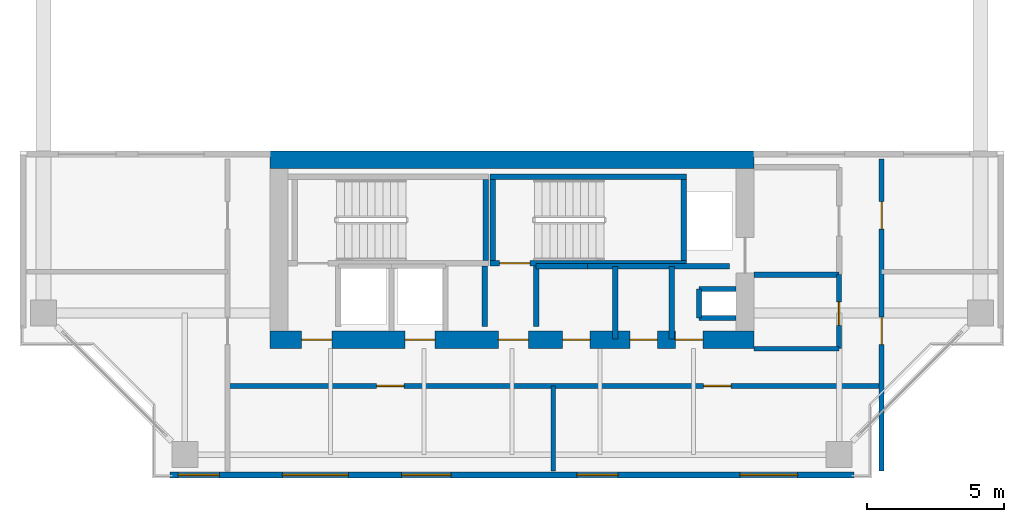
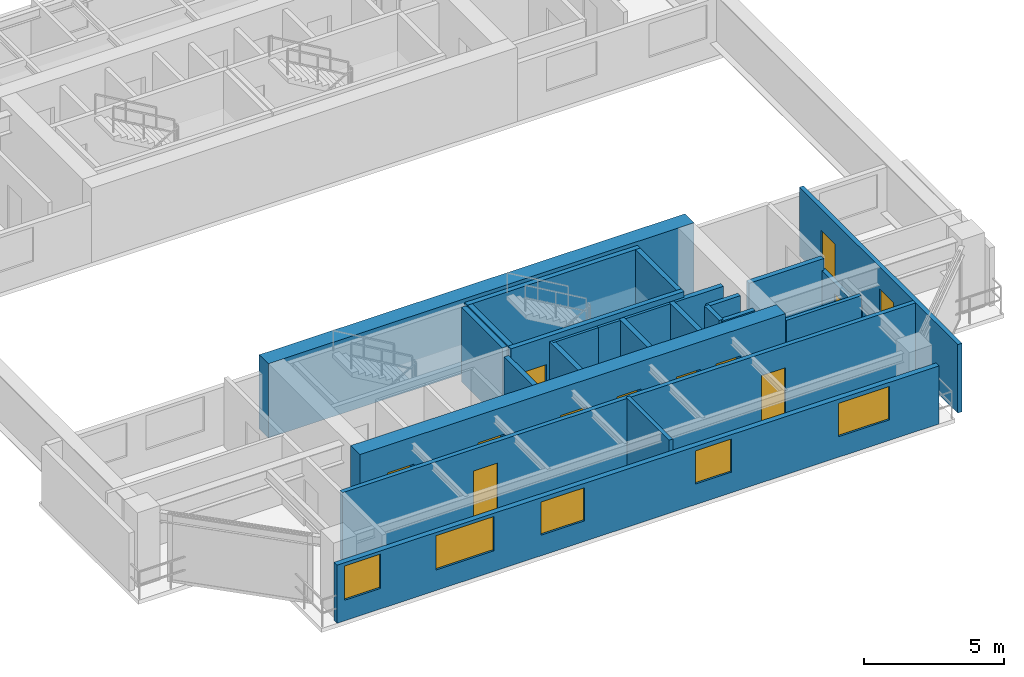
# One storey, part 7 of 12: 23 walls, 12 doors, 5 windows, 17 openings.
"""IFC4 building model written with IfcOpenShell, lengths in metres."""

import ifcopenshell
import ifcopenshell.guid

model = None  # the IFC model being written
_history = None  # IfcOwnerHistory: only IFC2X3 demands one
_inside = {}  # id of a spatial element -> (the spatial element, [elements in it])
_under = {}  # id of a project, library or spatial element -> (it, [spatial elements below it])
_declared = {}  # id of a project -> (the project, [libraries it declares])
_typed = {}  # id of a type object -> (the type object, [elements of that type])
_made_of = {}  # id of a material, layer set ... -> (it, [elements and type objects made of it])


def new_model(schema):
    """Start an empty IFC model of exactly this schema.

    Asked for "IFC4X3", IfcOpenShell would pick the latest addendum, in which some entities
    have other attributes; the version numbers below select the first issue.
    IFC2X3 requires an IfcOwnerHistory on every rooted entity: one is made here for all.
    """
    global model, _history
    if schema == "IFC4X3":
        model = ifcopenshell.file(schema_version=(4, 3, 0, 0))
    else:
        model = ifcopenshell.file(schema=schema)
    _inside.clear()
    _under.clear()
    _declared.clear()
    _typed.clear()
    _made_of.clear()
    _history = None
    if model.schema == "IFC2X3":
        org = make("IfcOrganization", Name="unknown")
        user = make(
            "IfcPersonAndOrganization",
            ThePerson=make("IfcPerson", FamilyName="unknown"),
            TheOrganization=org,
        )
        app = make(
            "IfcApplication",
            ApplicationDeveloper=org,
            Version="unknown",
            ApplicationFullName="unknown",
            ApplicationIdentifier="unknown",
        )
        _history = make(
            "IfcOwnerHistory",
            OwningUser=user,
            OwningApplication=app,
            ChangeAction="ADDED",
            CreationDate=0,
        )
    return model


def make(cls, **values):
    """One entity of the class cls with the attributes given. An attribute that is None is left unset."""
    return model.create_entity(
        cls, **{name: value for name, value in values.items() if value is not None}
    )


def rooted(cls, **values):
    """An entity with a GlobalId (a new one), such as an element, a storey or a relation."""
    return make(cls, GlobalId=ifcopenshell.guid.new(), OwnerHistory=_history, **values)


def si_unit(unit_type, name, prefix=None):
    """IfcSIUnit, for example si_unit("LENGTHUNIT", "METRE", prefix="MILLI")."""
    return make("IfcSIUnit", UnitType=unit_type, Prefix=prefix, Name=name)


def assignment(units):
    """IfcUnitAssignment: the units of a project."""
    return None if units is None else make("IfcUnitAssignment", Units=units)


def point(xyz):
    """IfcCartesianPoint."""
    return None if xyz is None else make("IfcCartesianPoint", Coordinates=xyz)


def direction(xyz):
    """IfcDirection."""
    return None if xyz is None else make("IfcDirection", DirectionRatios=xyz)


def frame(location, z_axis=None, x_axis=None):
    """IfcAxis2Placement3D, a coordinate frame: its origin and axes. An axis left out is left unset."""
    return make(
        "IfcAxis2Placement3D",
        Location=point(location),
        Axis=direction(z_axis),
        RefDirection=direction(x_axis),
    )


def frame_2d(location, x_axis=None):
    """IfcAxis2Placement2D, a coordinate frame in the plane: its origin and x axis."""
    return make(
        "IfcAxis2Placement2D", Location=point(location), RefDirection=direction(x_axis)
    )


def origin():
    """The frame at (0, 0, 0) with its axes left unset."""
    return frame((0.0, 0.0, 0.0))


def place(relative_to, where):
    """IfcLocalPlacement: puts the frame where relative to a parent placement (None: the world)."""
    return make(
        "IfcLocalPlacement", PlacementRelTo=relative_to, RelativePlacement=where
    )


def context(
    kind, dimensions, precision=None, world=None, true_north=None, identifier=None
):
    """IfcGeometricRepresentationContext, for example the 3D "Model" context."""
    return make(
        "IfcGeometricRepresentationContext",
        ContextIdentifier=identifier,
        ContextType=kind,
        CoordinateSpaceDimension=dimensions,
        Precision=precision,
        WorldCoordinateSystem=world,
        TrueNorth=true_north,
    )


def subcontext(parent, identifier, kind, view, scale=None):
    """IfcGeometricRepresentationSubContext, for example "Body" below "Model"."""
    return make(
        "IfcGeometricRepresentationSubContext",
        ContextIdentifier=identifier,
        ContextType=kind,
        ParentContext=parent,
        TargetScale=scale,
        TargetView=view,
    )


def project(units=None, contexts=None):
    """IfcProject with its units and contexts."""
    return rooted(
        "IfcProject",
        Name="project",
        RepresentationContexts=contexts,
        UnitsInContext=assignment(units),
    )


def spatial(cls, under=None, at=None, **own):
    """A site, building, storey or space (cls), placed at a placement, below another one or the project."""
    s = rooted(cls, ObjectPlacement=at, **own)
    if under is not None:
        _under.setdefault(under.id(), (under, []))[1].append(s)
    return s


def profile(cls, at=None, kind="AREA", **sizes):
    """A parametric profile (cls). Its sizes go by their IFC names, for example OverallWidth=200.0."""
    return make(cls, ProfileType=kind, Position=at, **sizes)


def rectangle(**sizes):
    """IfcRectangleProfileDef."""
    return profile("IfcRectangleProfileDef", **sizes)


def extrude(swept, where, along, depth):
    """IfcExtrudedAreaSolid: the profile swept, set in the frame where, extruded along a direction by depth."""
    return make(
        "IfcExtrudedAreaSolid",
        SweptArea=swept,
        Position=where,
        ExtrudedDirection=direction(along),
        Depth=depth,
    )


def shape(context_of_items, identifier, shape_type, items):
    """IfcShapeRepresentation: the items that make up one representation, for example the "Body"."""
    return make(
        "IfcShapeRepresentation",
        ContextOfItems=context_of_items,
        RepresentationIdentifier=identifier,
        RepresentationType=shape_type,
        Items=items,
    )


def source(mapping_origin, context_of_items, identifier, shape_type, items):
    """IfcRepresentationMap: a shape defined once, which mapped items show again and again."""
    return make(
        "IfcRepresentationMap",
        MappingOrigin=mapping_origin,
        MappedRepresentation=shape(context_of_items, identifier, shape_type, items),
    )


def transform(
    local_origin,
    x_axis=None,
    y_axis=None,
    z_axis=None,
    scale=None,
    scale2=None,
    scale3=None,
    uniform=True,
):
    """IfcCartesianTransformationOperator3D, or its non-uniform kind. x_axis, y_axis, z_axis: its Axis1, 2, 3."""
    if uniform:
        return make(
            "IfcCartesianTransformationOperator3D",
            Axis1=direction(x_axis),
            Axis2=direction(y_axis),
            LocalOrigin=point(local_origin),
            Scale=scale,
            Axis3=direction(z_axis),
        )
    return make(
        "IfcCartesianTransformationOperator3DnonUniform",
        Axis1=direction(x_axis),
        Axis2=direction(y_axis),
        LocalOrigin=point(local_origin),
        Scale=scale,
        Axis3=direction(z_axis),
        Scale2=scale2,
        Scale3=scale3,
    )


def mapped(mapping_source, mapping_target):
    """IfcMappedItem: shows the shape of a source again, moved by a transform."""
    return make(
        "IfcMappedItem", MappingSource=mapping_source, MappingTarget=mapping_target
    )


def material(Name=None, Category=None):
    """IfcMaterial."""
    return make("IfcMaterial", Name=Name, Category=Category)


def layer(
    of_material, thickness, ventilated=None, Name=None, Category=None, Priority=None
):
    """IfcMaterialLayer: one layer of a wall or slab, of a material (None: an air gap)."""
    return make(
        "IfcMaterialLayer",
        Material=of_material,
        LayerThickness=thickness,
        IsVentilated=ventilated,
        Name=Name,
        Category=Category,
        Priority=Priority,
    )


def layer_set(layers, Name=None):
    """IfcMaterialLayerSet."""
    return make("IfcMaterialLayerSet", MaterialLayers=layers, LayerSetName=Name)


def made_of(thing, what):
    """Note that an element or type object is made of a material, layer set ...; save() writes the relation."""
    if what is not None:
        _made_of.setdefault(what.id(), (what, []))[1].append(thing)
    return thing


def type_object(cls, material=None, **own):
    """A type object (cls), such as IfcWallType, which elements share."""
    return made_of(rooted(cls, **own), material)


def element(
    cls,
    number,
    at=None,
    inside=None,
    cuts=None,
    type_object=None,
    material=None,
    context=None,
    identifier="Body",
    shape_type=None,
    held_by="IfcProductDefinitionShape",
    body=None,
    shapes=None,
    **own,
):
    """One element of the class cls, such as IfcWall. Its Tag is "e" and its number.

    at: its placement. inside: the storey or other place that contains it. cuts: it is an
    opening in that element (IfcRelVoidsElement). A single representation is given by context,
    identifier, shape_type and body (its items); several are given by shapes. held_by: the class
    of the entity that holds the representations. save() writes the other relations.
    """
    e = rooted(cls, Tag="e%d" % number, ObjectPlacement=at, **own)
    if body is not None:
        shapes = [shape(context, identifier, shape_type, body)]
    if shapes is not None:
        e.Representation = make(held_by, Representations=shapes)
    if inside is not None:
        _inside.setdefault(inside.id(), (inside, []))[1].append(e)
    if cuts is not None:
        rooted(
            "IfcRelVoidsElement", RelatingBuildingElement=cuts, RelatedOpeningElement=e
        )
    if type_object is not None:
        _typed.setdefault(type_object.id(), (type_object, []))[1].append(e)
    return made_of(e, material)


def fill(opening, filler):
    """IfcRelFillsElement: the door or window that sits in an opening."""
    return rooted(
        "IfcRelFillsElement",
        RelatingOpeningElement=opening,
        RelatedBuildingElement=filler,
    )


def aggregate(whole, parts):
    """IfcRelAggregates: a whole, such as a stair, and the parts it consists of."""
    return rooted("IfcRelAggregates", RelatingObject=whole, RelatedObjects=parts)


def save(model, path):
    """Write the relations noted so far, then the file.

    IfcRelAggregates (storeys below a building ...), IfcRelContainedInSpatialStructure (elements
    in a storey), IfcRelDefinesByType, IfcRelAssociatesMaterial and IfcRelDeclares: one each for
    every whole, place, type object, material and project.
    """
    for whole, parts in _under.values():
        aggregate(whole, parts)
    for where, things in _inside.values():
        rooted(
            "IfcRelContainedInSpatialStructure",
            RelatedElements=things,
            RelatingStructure=where,
        )
    for kind, things in _typed.values():
        rooted("IfcRelDefinesByType", RelatedObjects=things, RelatingType=kind)
    for what, things in _made_of.values():
        rooted("IfcRelAssociatesMaterial", RelatedObjects=things, RelatingMaterial=what)
    for by, libraries in _declared.values():
        rooted("IfcRelDeclares", RelatingContext=by, RelatedDefinitions=libraries)
    model.write(path)


model = new_model("IFC4")

# Units and contexts
model_context = context("Model", 3, precision=1e-05, world=origin(), true_north=direction((0.0, 1.0)))
body_context = subcontext(model_context, "Body", "Model", "MODEL_VIEW")
ifc_project = project(units=[si_unit("LENGTHUNIT", "METRE"), si_unit("AREAUNIT", "SQUARE_METRE"), si_unit("VOLUMEUNIT", "CUBIC_METRE"), si_unit("PLANEANGLEUNIT", "RADIAN"), si_unit("MASSUNIT", "GRAM", prefix="KILO"), si_unit("THERMODYNAMICTEMPERATUREUNIT", "KELVIN"), si_unit("POWERUNIT", "WATT")], contexts=[model_context])

# Site, building, storey
site_placement = place(None, origin())
site = spatial("IfcSite", under=ifc_project, at=site_placement, CompositionType="ELEMENT")
building_placement = place(site_placement, origin())
building = spatial("IfcBuilding", under=site, at=building_placement, Name="Qiaomeng Ring Towers", CompositionType="ELEMENT")
storey_placement = place(building_placement, frame((0.0, 0.0, 169.75)))
storey = spatial("IfcBuildingStorey", under=building, at=storey_placement, Name="L49", CompositionType="ELEMENT", Elevation=169.75)

# Wall, openings, windows
ifc_material_1 = material(Name="Precast concrete C40", Category="concrete")
ifc_layer_1 = layer(ifc_material_1, 0.219970703125, Name="Precast concrete C40")
ifc_layer_set_1 = layer_set([ifc_layer_1], Name="Precast concrete C40")
wall_type_1 = type_object("IfcWallType", Name="ARC-WL-EW2", PredefinedType="STANDARD", material=ifc_layer_set_1)
wall_1_placement = place(storey_placement, frame((6.550048828125, 5.2099609375, 0.0), z_axis=(0.0, 0.0, 1.0), x_axis=(1.0, 0.0, 0.0)))
wall_1 = element("IfcWall", 1, at=wall_1_placement, inside=storey, type_object=wall_type_1, Name="L49 Tower 1 S Exterior Wall", PredefinedType="STANDARD", context=body_context, shape_type="SweptSolid", body=[
    extrude(rectangle(XDim=24.89990234375, YDim=0.219970703125, at=frame_2d((12.449951171875, 0.0))), origin(), (0.0, 0.0, 1.0), 2.5400390625),
])
opening_1_placement = place(wall_1_placement, frame((0.300048828125, 0.0, 0.89990234375)))
opening_1 = element("IfcOpeningElement", 2, at=opening_1_placement, cuts=wall_1, Name="Opening WN2", PredefinedType="OPENING", context=body_context, shape_type="SweptSolid", body=[
    extrude(rectangle(XDim=1.5, YDim=1.5, at=frame_2d((0.75, 0.75))), frame((0.0, 0.119873046875, 0.0), z_axis=(0.0, -1.0, 0.0), x_axis=(1.0, 0.0, 0.0)), (0.0, 0.0, 1.0), 0.239990234375),
])
opening_2_placement = place(wall_1_placement, frame((8.43798828125, 0.0, 0.89990234375)))
opening_2 = element("IfcOpeningElement", 3, at=opening_2_placement, cuts=wall_1, Name="Opening WN1", PredefinedType="OPENING", context=body_context, shape_type="SweptSolid", body=[
    extrude(rectangle(XDim=1.800048828125, YDim=1.449951171875, at=frame_2d((0.89990234375, 0.72509765625))), frame((0.0, 0.119873046875, 0.0), z_axis=(0.0, -1.0, 0.0), x_axis=(1.0, 0.0, 0.0)), (0.0, 0.0, 1.0), 0.239990234375),
])
opening_3_placement = place(wall_1_placement, frame((14.81298828125, 0.0, 0.89990234375)))
opening_3 = element("IfcOpeningElement", 4, at=opening_3_placement, cuts=wall_1, Name="Opening WN2", PredefinedType="OPENING", context=body_context, shape_type="SweptSolid", body=[
    extrude(rectangle(XDim=1.5, YDim=1.449951171875, at=frame_2d((0.75, 0.72509765625))), frame((0.0, 0.119873046875, 0.0), z_axis=(0.0, -1.0, 0.0), x_axis=(1.0, 0.0, 0.0)), (0.0, 0.0, 1.0), 0.239990234375),
])
opening_4_placement = place(wall_1_placement, frame((20.738037109375, 0.0, 0.89990234375)))
opening_4 = element("IfcOpeningElement", 5, at=opening_4_placement, cuts=wall_1, Name="Opening WN4", PredefinedType="OPENING", context=body_context, shape_type="SweptSolid", body=[
    extrude(rectangle(XDim=2.10009765625, YDim=1.4599609375, at=frame_2d((1.050048828125, 0.72998046875))), frame((0.0, 0.119873046875, 0.0), z_axis=(0.0, -1.0, 0.0), x_axis=(1.0, 0.0, 0.0)), (0.0, 0.0, 1.0), 0.239990234375),
])
opening_5_placement = place(wall_1_placement, frame((4.093994140625, 0.0, 0.89990234375)))
opening_5 = element("IfcOpeningElement", 6, at=opening_5_placement, cuts=wall_1, Name="Opening WN6", PredefinedType="OPENING", context=body_context, shape_type="SweptSolid", body=[
    extrude(rectangle(XDim=2.39990234375, YDim=1.5, at=frame_2d((1.199951171875, 0.75))), frame((0.0, 0.119873046875, 0.0), z_axis=(0.0, -1.0, 0.0), x_axis=(1.0, 0.0, 0.0)), (0.0, 0.0, 1.0), 0.239990234375),
])
ifc_material_2 = material(Name="Low-E dark-grey laminated double glazing", Category="glass")
window_type_1 = type_object("IfcWindowType", Name="ARC-WN-2", PartitioningType="DOUBLE_PANEL_VERTICAL", PredefinedType="WINDOW", material=ifc_material_2)
shared_shape_1 = source(origin(), body_context, "Body", "SweptSolid", [
    extrude(rectangle(XDim=1.5, YDim=1.449951171875, at=frame_2d((0.75, 0.72509765625))), frame((0.0, 0.030029296875, 0.0), z_axis=(0.0, -1.0, 0.0), x_axis=(1.0, 0.0, 0.0)), (0.0, 0.0, 1.0), 0.06005859375),
])
window_1_placement = place(opening_3_placement, origin())
window_1 = element("IfcWindow", 7, at=window_1_placement, inside=storey, type_object=window_type_1, Name="L49 Exterior Window WN2", OverallHeight=1.449951171875, OverallWidth=1.5, PartitioningType="DOUBLE_PANEL_VERTICAL", PredefinedType="WINDOW", context=body_context, shape_type="MappedRepresentation", body=[
    mapped(shared_shape_1, transform((0.0, 0.0, 0.0), x_axis=(1.0, 0.0, 0.0), y_axis=(0.0, 1.0, 0.0), z_axis=(0.0, 0.0, 1.0), scale=1.0)),
])
fill(opening_3, window_1)
window_type_2 = type_object("IfcWindowType", Name="ARC-WN-1", PartitioningType="DOUBLE_PANEL_VERTICAL", PredefinedType="WINDOW", material=ifc_material_2)
shared_shape_2 = source(origin(), body_context, "Body", "SweptSolid", [
    extrude(rectangle(XDim=1.800048828125, YDim=1.449951171875, at=frame_2d((0.89990234375, 0.72509765625))), frame((0.0, 0.030029296875, 0.0), z_axis=(0.0, -1.0, 0.0), x_axis=(1.0, 0.0, 0.0)), (0.0, 0.0, 1.0), 0.06005859375),
])
window_2_placement = place(opening_2_placement, origin())
window_2 = element("IfcWindow", 8, at=window_2_placement, inside=storey, type_object=window_type_2, Name="L49 Exterior Window WN1", OverallHeight=1.449951171875, OverallWidth=1.800048828125, PartitioningType="DOUBLE_PANEL_VERTICAL", PredefinedType="WINDOW", context=body_context, shape_type="MappedRepresentation", body=[
    mapped(shared_shape_2, transform((0.0, 0.0, 0.0), x_axis=(1.0, 0.0, 0.0), y_axis=(0.0, 1.0, 0.0), z_axis=(0.0, 0.0, 1.0), scale=1.0)),
])
fill(opening_2, window_2)
shared_shape_3 = source(origin(), body_context, "Body", "SweptSolid", [
    extrude(rectangle(XDim=1.5, YDim=1.5, at=frame_2d((0.75, 0.75))), frame((0.0, 0.030029296875, 0.0), z_axis=(0.0, -1.0, 0.0), x_axis=(1.0, 0.0, 0.0)), (0.0, 0.0, 1.0), 0.06005859375),
])
window_3_placement = place(opening_1_placement, origin())
window_3 = element("IfcWindow", 9, at=window_3_placement, inside=storey, type_object=window_type_1, Name="L49 Exterior Window WN6", OverallHeight=1.5, OverallWidth=1.5, PartitioningType="TRIPLE_PANEL_VERTICAL", PredefinedType="WINDOW", context=body_context, shape_type="MappedRepresentation", body=[
    mapped(shared_shape_3, transform((0.0, 0.0, 0.0), x_axis=(1.0, 0.0, 0.0), y_axis=(0.0, 1.0, 0.0), z_axis=(0.0, 0.0, 1.0), scale=1.0)),
])
fill(opening_1, window_3)
window_type_3 = type_object("IfcWindowType", Name="ARC-WN-6", PartitioningType="TRIPLE_PANEL_VERTICAL", PredefinedType="WINDOW", material=ifc_material_2)
shared_shape_4 = source(origin(), body_context, "Body", "SweptSolid", [
    extrude(rectangle(XDim=2.39990234375, YDim=1.5, at=frame_2d((1.199951171875, 0.75))), frame((0.0, 0.030029296875, 0.0), z_axis=(0.0, -1.0, 0.0), x_axis=(1.0, 0.0, 0.0)), (0.0, 0.0, 1.0), 0.06005859375),
])
window_4_placement = place(opening_5_placement, origin())
window_4 = element("IfcWindow", 10, at=window_4_placement, inside=storey, type_object=window_type_3, Name="L49 Exterior Window WN6", OverallHeight=1.5, OverallWidth=2.39990234375, PartitioningType="TRIPLE_PANEL_VERTICAL", PredefinedType="WINDOW", context=body_context, shape_type="MappedRepresentation", body=[
    mapped(shared_shape_4, transform((0.0, 0.0, 0.0), x_axis=(1.0, 0.0, 0.0), y_axis=(0.0, 1.0, 0.0), z_axis=(0.0, 0.0, 1.0), scale=1.0)),
])
fill(opening_5, window_4)
window_type_4 = type_object("IfcWindowType", Name="ARC-WN-4", PartitioningType="TRIPLE_PANEL_VERTICAL", PredefinedType="WINDOW", material=ifc_material_2)
shared_shape_5 = source(origin(), body_context, "Body", "SweptSolid", [
    extrude(rectangle(XDim=2.10009765625, YDim=1.4599609375, at=frame_2d((1.050048828125, 0.72998046875))), frame((0.0, 0.030029296875, 0.0), z_axis=(0.0, -1.0, 0.0), x_axis=(1.0, 0.0, 0.0)), (0.0, 0.0, 1.0), 0.06005859375),
])
window_5_placement = place(opening_4_placement, origin())
window_5 = element("IfcWindow", 11, at=window_5_placement, inside=storey, type_object=window_type_4, Name="L49 Exterior Window WN4", OverallHeight=1.4599609375, OverallWidth=2.10009765625, PartitioningType="TRIPLE_PANEL_VERTICAL", PredefinedType="WINDOW", context=body_context, shape_type="MappedRepresentation", body=[
    mapped(shared_shape_5, transform((0.0, 0.0, 0.0), x_axis=(1.0, 0.0, 0.0), y_axis=(0.0, 1.0, 0.0), z_axis=(0.0, 0.0, 1.0), scale=1.0)),
])
fill(opening_4, window_5)

# Walls
ifc_material_3 = material(Name="Autoclaved aerated concrete block", Category="concrete")
ifc_layer_2 = layer(ifc_material_3, 0.199951171875, Name="Autoclaved aerated concrete block")
ifc_layer_set_2 = layer_set([ifc_layer_2], Name="Autoclaved aerated concrete block")
wall_type_2 = type_object("IfcWallType", Name="ARC-WL-PW1", PredefinedType="PARTITIONING", material=ifc_layer_set_2)
wall_2_placement = place(storey_placement, frame((27.800048828125, 12.5, 0.0), z_axis=(0.0, 0.0, 1.0), x_axis=(1.0, 0.0, 0.0)))
element("IfcWall", 12, at=wall_2_placement, inside=storey, type_object=wall_type_2, Name="L49 Interior Wall PW1", PredefinedType="PARTITIONING", context=body_context, shape_type="SweptSolid", body=[
    extrude(rectangle(XDim=3.099853515625, YDim=0.199951171875, at=frame_2d((1.5498046875, 0.0))), origin(), (0.0, 0.0, 1.0), 3.0),
])
for number, where, z_axis, x_axis, name in (
    (13, (18.0, 10.60009765625, 0.0), (0.0, 0.0, 1.0), (0.0, 1.0, 0.0), "L49 Interior Wall PW1"),
    (14, (19.8798828125, 10.60009765625, 0.0), (0.0, 0.0, 1.0), (0.0, 1.0, 0.0), "L49 Interior Wall PW1"),
):
    element("IfcWall", number, at=place(storey_placement, frame(where, z_axis=z_axis, x_axis=x_axis)), inside=storey, type_object=wall_type_2, Name=name, PredefinedType="PARTITIONING", context=body_context, shape_type="SweptSolid", body=[
        extrude(rectangle(XDim=2.2099609375, YDim=0.199951171875, at=frame_2d((1.10498046875, 0.0))), origin(), (0.0, 0.0, 1.0), 3.0),
    ])
wall_3_placement = place(storey_placement, frame((24.820068359375, 10.14990234375, 0.0), z_axis=(0.0, 0.0, 1.0), x_axis=(0.0, 1.0, 0.0)))
element("IfcWall", 15, at=wall_3_placement, inside=storey, type_object=wall_type_2, Name="L49 Interior Wall PW1", PredefinedType="PARTITIONING", context=body_context, shape_type="SweptSolid", body=[
    extrude(rectangle(XDim=2.650146484375, YDim=0.199951171875, at=frame_2d((1.3251953125, 0.0))), origin(), (0.0, 0.0, 1.0), 3.0),
])
wall_4_placement = place(storey_placement, frame((19.8798828125, 12.800048828125, 0.0), z_axis=(0.0, 0.0, 1.0), x_axis=(1.0, 0.0, 0.0)))
element("IfcWall", 16, at=wall_4_placement, inside=storey, type_object=wall_type_2, Name="L49 Interior Wall PW1", PredefinedType="PARTITIONING", context=body_context, shape_type="SweptSolid", body=[
    extrude(rectangle(XDim=1.8701171875, YDim=0.199951171875, at=frame_2d((0.93505859375, 0.0))), origin(), (0.0, 0.0, 1.0), 3.0),
])
wall_5_placement = place(storey_placement, frame((22.760009765625, 10.14990234375, 0.0), z_axis=(0.0, 0.0, 1.0), x_axis=(0.0, 1.0, 0.0)))
element("IfcWall", 17, at=wall_5_placement, inside=storey, type_object=wall_type_2, Name="L49 Interior Wall PW1", PredefinedType="PARTITIONING", context=body_context, shape_type="SweptSolid", body=[
    extrude(rectangle(XDim=2.650146484375, YDim=0.199951171875, at=frame_2d((1.3251953125, 0.0))), origin(), (0.0, 0.0, 1.0), 3.0),
])
wall_6_placement = place(storey_placement, frame((21.75, 12.800048828125, 0.0), z_axis=(0.0, 0.0, 1.0), x_axis=(1.0, 0.0, 0.0)))
element("IfcWall", 18, at=wall_6_placement, inside=storey, type_object=wall_type_2, Name="L49 Interior Wall PW1", PredefinedType="PARTITIONING", context=body_context, shape_type="SweptSolid", body=[
    extrude(rectangle(XDim=5.169921875, YDim=0.199951171875, at=frame_2d((2.5849609375, 0.0))), origin(), (0.0, 0.0, 1.0), 3.0),
])

# Wall, opening, door
ifc_layer_3 = layer(ifc_material_3, 0.179931640625, Name="Autoclaved aerated concrete block")
ifc_layer_set_3 = layer_set([ifc_layer_3], Name="Autoclaved aerated concrete block")
wall_type_3 = type_object("IfcWallType", Name="ARC-WL-PW2", PredefinedType="PARTITIONING", material=ifc_layer_set_3)
wall_7_placement = place(storey_placement, frame((30.89990234375, 9.800048828125, 0.0), z_axis=(0.0, 0.0, 1.0), x_axis=(0.0, 1.0, 0.0)))
wall_7 = element("IfcWall", 19, at=wall_7_placement, inside=storey, type_object=wall_type_3, Name="L49 Interior Wall PW2", PredefinedType="PARTITIONING", context=body_context, shape_type="SweptSolid", body=[
    extrude(rectangle(XDim=2.699951171875, YDim=0.179931640625, at=frame_2d((1.35009765625, 0.0))), origin(), (0.0, 0.0, 1.0), 2.4951171875),
])
opening_6_placement = place(wall_7_placement, frame((0.85009765625, 0.0, 0.0)))
opening_6 = element("IfcOpeningElement", 20, at=opening_6_placement, cuts=wall_7, Name="Opening ID2", PredefinedType="OPENING", context=body_context, shape_type="SweptSolid", body=[
    extrude(rectangle(XDim=0.85009765625, YDim=2.050048828125, at=frame_2d((0.425048828125, 1.02490234375))), frame((0.0, 0.099853515625, 0.0), z_axis=(0.0, -1.0, 0.0), x_axis=(1.0, 0.0, 0.0)), (0.0, 0.0, 1.0), 0.199951171875),
])
ifc_material_4 = material(Name="Moisture-resistant engineered timber", Category="wood")
door_type_1 = type_object("IfcDoorType", Name="ARC-DR-ID2", OperationType="NOTDEFINED", PredefinedType="DOOR", material=ifc_material_4)
shared_shape_6 = source(origin(), body_context, "Body", "SweptSolid", [
    extrude(rectangle(XDim=0.85009765625, YDim=2.050048828125, at=frame_2d((0.425048828125, 1.02490234375))), frame((0.0, 0.02490234375, 0.0), z_axis=(0.0, -1.0, 0.0), x_axis=(1.0, 0.0, 0.0)), (0.0, 0.0, 1.0), 0.050048828125),
])
door_1_placement = place(opening_6_placement, origin())
door_1 = element("IfcDoor", 21, at=door_1_placement, inside=storey, type_object=door_type_1, Name="L49 Door ID2", OperationType="SINGLE_SWING_LEFT", OverallHeight=2.050048828125, OverallWidth=0.85009765625, PredefinedType="DOOR", context=body_context, shape_type="MappedRepresentation", body=[
    mapped(shared_shape_6, transform((0.0, 0.0, 0.0), x_axis=(1.0, 0.0, 0.0), y_axis=(0.0, 1.0, 0.0), z_axis=(0.0, 0.0, 1.0), scale=1.0)),
])
fill(opening_6, door_1)

# Wall, openings, doors
wall_8_placement = place(storey_placement, frame((32.449951171875, 5.35009765625, 0.0), z_axis=(0.0, 0.0, 1.0), x_axis=(0.0, 1.0, 0.0)))
wall_8 = element("IfcWall", 22, at=wall_8_placement, inside=storey, type_object=wall_type_3, Name="L49 Interior Wall PW2", PredefinedType="PARTITIONING", context=body_context, shape_type="SweptSolid", body=[
    extrude(rectangle(XDim=11.349853515625, YDim=0.179931640625, at=frame_2d((5.6748046875, 0.0))), origin(), (0.0, 0.0, 1.0), 3.0),
])
opening_7_placement = place(wall_8_placement, frame((4.60009765625, 0.0, 0.0)))
opening_7 = element("IfcOpeningElement", 23, at=opening_7_placement, cuts=wall_8, Name="Opening FD4", PredefinedType="OPENING", context=body_context, shape_type="SweptSolid", body=[
    extrude(rectangle(XDim=1.0, YDim=2.050048828125, at=frame_2d((0.5, 1.02490234375))), frame((0.0, 0.099853515625, 0.0), z_axis=(0.0, -1.0, 0.0), x_axis=(1.0, 0.0, 0.0)), (0.0, 0.0, 1.0), 0.199951171875),
])
opening_8_placement = place(wall_8_placement, frame((8.800048828125, 0.0, 0.0)))
opening_8 = element("IfcOpeningElement", 24, at=opening_8_placement, cuts=wall_8, Name="Opening FD4", PredefinedType="OPENING", context=body_context, shape_type="SweptSolid", body=[
    extrude(rectangle(XDim=1.0, YDim=2.050048828125, at=frame_2d((0.5, 1.02490234375))), frame((0.0, 0.099853515625, 0.0), z_axis=(0.0, -1.0, 0.0), x_axis=(1.0, 0.0, 0.0)), (0.0, 0.0, 1.0), 0.199951171875),
])
ifc_material_5 = material(Name="Engineered fire-rated oak timber", Category="wood")
door_type_2 = type_object("IfcDoorType", Name="ARC-DR-FD4", OperationType="NOTDEFINED", PredefinedType="DOOR", material=ifc_material_5)
shared_shape_7 = source(origin(), body_context, "Body", "SweptSolid", [
    extrude(rectangle(XDim=1.0, YDim=2.050048828125, at=frame_2d((0.5, 1.02490234375))), frame((0.0, 0.02490234375, 0.0), z_axis=(0.0, -1.0, 0.0), x_axis=(1.0, 0.0, 0.0)), (0.0, 0.0, 1.0), 0.050048828125),
])
door_2_placement = place(opening_7_placement, origin())
door_2 = element("IfcDoor", 25, at=door_2_placement, inside=storey, type_object=door_type_2, Name="L49 Door FD4", OperationType="SINGLE_SWING_RIGHT", OverallHeight=2.050048828125, OverallWidth=1.0, PredefinedType="DOOR", context=body_context, shape_type="MappedRepresentation", body=[
    mapped(shared_shape_7, transform((0.0, 0.0, 0.0), x_axis=(1.0, 0.0, 0.0), y_axis=(0.0, 1.0, 0.0), z_axis=(0.0, 0.0, 1.0), scale=1.0)),
])
fill(opening_7, door_2)
door_3_placement = place(opening_8_placement, origin())
door_3 = element("IfcDoor", 26, at=door_3_placement, inside=storey, type_object=door_type_2, Name="L49 Door FD4", OperationType="SINGLE_SWING_LEFT", OverallHeight=2.050048828125, OverallWidth=1.0, PredefinedType="DOOR", context=body_context, shape_type="MappedRepresentation", body=[
    mapped(shared_shape_7, transform((0.0, 0.0, 0.0), x_axis=(1.0, 0.0, 0.0), y_axis=(0.0, 1.0, 0.0), z_axis=(0.0, 0.0, 1.0), scale=1.0)),
])
fill(opening_8, door_3)

wall_9_placement = place(storey_placement, frame((8.64990234375, 8.449951171875, 0.0), z_axis=(0.0, 0.0, 1.0), x_axis=(1.0, 0.0, 0.0)))
wall_9 = element("IfcWall", 27, at=wall_9_placement, inside=storey, type_object=wall_type_3, Name="L49 Interior Wall PW2", PredefinedType="PARTITIONING", context=body_context, shape_type="SweptSolid", body=[
    extrude(rectangle(XDim=23.800048828125, YDim=0.179931640625, at=frame_2d((11.89990234375, 0.0))), origin(), (0.0, 0.0, 1.0), 3.0),
])
opening_9_placement = place(wall_9_placement, frame((5.425048828125, 0.0, 0.0)))
opening_9 = element("IfcOpeningElement", 28, at=opening_9_placement, cuts=wall_9, Name="Opening FD4", PredefinedType="OPENING", context=body_context, shape_type="SweptSolid", body=[
    extrude(rectangle(XDim=1.0, YDim=2.050048828125, at=frame_2d((0.5, 1.02490234375))), frame((0.0, 0.099853515625, 0.0), z_axis=(0.0, -1.0, 0.0), x_axis=(1.0, 0.0, 0.0)), (0.0, 0.0, 1.0), 0.199951171875),
])
opening_10_placement = place(wall_9_placement, frame((17.324951171875, 0.0, 0.0)))
opening_10 = element("IfcOpeningElement", 29, at=opening_10_placement, cuts=wall_9, Name="Opening FD4", PredefinedType="OPENING", context=body_context, shape_type="SweptSolid", body=[
    extrude(rectangle(XDim=1.0, YDim=2.050048828125, at=frame_2d((0.5, 1.02490234375))), frame((0.0, 0.099853515625, 0.0), z_axis=(0.0, -1.0, 0.0), x_axis=(1.0, 0.0, 0.0)), (0.0, 0.0, 1.0), 0.199951171875),
])
door_4_placement = place(opening_9_placement, origin())
door_4 = element("IfcDoor", 30, at=door_4_placement, inside=storey, type_object=door_type_2, Name="L49 Door FD4", OperationType="SINGLE_SWING_RIGHT", OverallHeight=2.050048828125, OverallWidth=1.0, PredefinedType="DOOR", context=body_context, shape_type="MappedRepresentation", body=[
    mapped(shared_shape_7, transform((0.0, 0.0, 0.0), x_axis=(1.0, 0.0, 0.0), y_axis=(0.0, 1.0, 0.0), z_axis=(0.0, 0.0, 1.0), scale=1.0)),
])
fill(opening_9, door_4)
door_5_placement = place(opening_10_placement, origin())
door_5 = element("IfcDoor", 31, at=door_5_placement, inside=storey, type_object=door_type_2, Name="L49 Door FD4", OperationType="SINGLE_SWING_LEFT", OverallHeight=2.050048828125, OverallWidth=1.0, PredefinedType="DOOR", context=body_context, shape_type="MappedRepresentation", body=[
    mapped(shared_shape_7, transform((0.0, 0.0, 0.0), x_axis=(1.0, 0.0, 0.0), y_axis=(0.0, 1.0, 0.0), z_axis=(0.0, 0.0, 1.0), scale=1.0)),
])
fill(opening_10, door_5)

# Walls
ifc_material_6 = material(Name="Gypsum fireboard steel-stud partition", Category="steel")
ifc_layer_4 = layer(ifc_material_6, 0.14990234375, Name="Gypsum fireboard steel-stud partition")
ifc_layer_set_4 = layer_set([ifc_layer_4], Name="Gypsum fireboard steel-stud partition")
wall_type_4 = type_object("IfcWallType", Name="ARC-WL-PW3", PredefinedType="PARTITIONING", material=ifc_layer_set_4)
for number, where, z_axis, x_axis, name in (
    (32, (27.800048828125, 9.800048828125, 0.0), (0.0, 0.0, 1.0), (1.0, 0.0, 0.0), "L49 Interior Wall PW3"),
    (33, (20.5, 5.35009765625, 0.0), (0.0, 0.0, 1.0), (0.0, 1.0, 0.0), "L49 Interior Wall PW3"),
):
    element("IfcWall", number, at=place(storey_placement, frame(where, z_axis=z_axis, x_axis=x_axis)), inside=storey, type_object=wall_type_4, Name=name, PredefinedType="PARTITIONING", context=body_context, shape_type="SweptSolid", body=[
        extrude(rectangle(XDim=3.099853515625, YDim=0.14990234375, at=frame_2d((1.5498046875, 0.0))), origin(), (0.0, 0.0, 1.0), 3.0),
    ])
ifc_material_7 = material(Name="Concrete C40", Category="concrete")
ifc_layer_5 = layer(ifc_material_7, 0.199951171875, Name="Concrete C40")
ifc_layer_set_5 = layer_set([ifc_layer_5], Name="Concrete C40")
wall_type_5 = type_object("IfcWallType", Name="STR-WL-STSHAFT", PredefinedType="SHEAR", material=ifc_layer_set_5)
wall_10_placement = place(storey_placement, frame((25.800048828125, 10.919921875, 0.0), z_axis=(0.0, 0.0, 1.0), x_axis=(0.0, 1.0, 0.0)))
element("IfcWall", 34, at=wall_10_placement, inside=storey, type_object=wall_type_5, Name="L49 Riser RSR1 West Shaft Wall S", PredefinedType="SHEAR", context=body_context, shape_type="SweptSolid", body=[
    extrude(rectangle(XDim=1.06005859375, YDim=0.179931640625, at=frame_2d((0.530029296875, 0.0))), origin(), (0.0, 0.0, 1.0), 3.0),
])
for number, where, z_axis, x_axis, name in (
    (35, (25.800048828125, 11.97998046875, 0.0), (0.0, 0.0, 1.0), (1.0, 0.0, 0.0), "L49 Riser RSR1 North Shaft Wall S"),
    (36, (25.800048828125, 10.919921875, 0.0), (0.0, 0.0, 1.0), (1.0, 0.0, 0.0), "L49 Riser RSR1 South Shaft Wall S"),
):
    element("IfcWall", number, at=place(storey_placement, frame(where, z_axis=z_axis, x_axis=x_axis)), inside=storey, type_object=wall_type_5, Name=name, PredefinedType="SHEAR", context=body_context, shape_type="SweptSolid", body=[
        extrude(rectangle(XDim=1.349853515625, YDim=0.179931640625, at=frame_2d((0.6748046875, 0.0))), origin(), (0.0, 0.0, 1.0), 3.0),
    ])
wall_11_placement = place(storey_placement, frame((18.050048828125, 13.010009765625, 0.0), z_axis=(0.0, 0.0, 1.0), x_axis=(0.0, 1.0, 0.0)))
element("IfcWall", 37, at=wall_11_placement, inside=storey, type_object=wall_type_5, Name="L49 Stair ST3 East Shaft Shear Wall", PredefinedType="SHEAR", context=body_context, shape_type="SweptSolid", body=[
    extrude(rectangle(XDim=2.93994140625, YDim=0.199951171875, at=frame_2d((1.469970703125, 0.0))), origin(), (0.0, 0.0, 1.0), 3.25),
])

# Wall, opening, door
wall_12_placement = place(storey_placement, frame((18.199951171875, 12.909912109375, 0.0), z_axis=(0.0, 0.0, 1.0), x_axis=(1.0, 0.0, 0.0)))
wall_12 = element("IfcWall", 38, at=wall_12_placement, inside=storey, type_object=wall_type_5, Name="L49 Stair ST4 South Shaft Shear Wall", PredefinedType="SHEAR", context=body_context, shape_type="SweptSolid", body=[
    extrude(rectangle(XDim=7.150146484375, YDim=0.199951171875, at=frame_2d((3.5751953125, 0.0))), origin(), (0.0, 0.0, 1.0), 3.25),
])
opening_11_placement = place(wall_12_placement, frame((0.35009765625, 0.0, 0.0)))
opening_11 = element("IfcOpeningElement", 39, at=opening_11_placement, cuts=wall_12, Name="Opening FD3", PredefinedType="OPENING", context=body_context, shape_type="SweptSolid", body=[
    extrude(rectangle(XDim=1.10009765625, YDim=2.050048828125, at=frame_2d((0.550048828125, 1.02490234375))), frame((0.0, 0.10986328125, 0.0), z_axis=(0.0, -1.0, 0.0), x_axis=(1.0, 0.0, 0.0)), (0.0, 0.0, 1.0), 0.219970703125),
])
ifc_material_8 = material(Name="Galvanised steel", Category="steel")
door_type_3 = type_object("IfcDoorType", Name="ARC-DR-FD3", OperationType="NOTDEFINED", PredefinedType="DOOR", material=ifc_material_8)
shared_shape_8 = source(origin(), body_context, "Body", "SweptSolid", [
    extrude(rectangle(XDim=1.10009765625, YDim=2.050048828125, at=frame_2d((0.550048828125, 1.02490234375))), frame((0.0, 0.02490234375, 0.0), z_axis=(0.0, -1.0, 0.0), x_axis=(1.0, 0.0, 0.0)), (0.0, 0.0, 1.0), 0.050048828125),
])
door_6_placement = place(opening_11_placement, frame((1.10009765625, 0.0, 0.0), z_axis=(0.0, 0.0, 1.0), x_axis=(-1.0, 0.0, 0.0)))
door_6 = element("IfcDoor", 40, at=door_6_placement, inside=storey, type_object=door_type_3, Name="L49 Stair ST4 Exit Door", OperationType="SINGLE_SWING_LEFT", OverallHeight=2.050048828125, OverallWidth=1.10009765625, PredefinedType="DOOR", context=body_context, shape_type="MappedRepresentation", body=[
    mapped(shared_shape_8, transform((0.0, 0.0, 0.0), x_axis=(1.0, 0.0, 0.0), y_axis=(0.0, 1.0, 0.0), z_axis=(0.0, 0.0, 1.0), scale=1.0)),
])
fill(opening_11, door_6)

# Walls
wall_13_placement = place(storey_placement, frame((18.199951171875, 16.050048828125, 0.0), z_axis=(0.0, 0.0, 1.0), x_axis=(1.0, 0.0, 0.0)))
element("IfcWall", 41, at=wall_13_placement, inside=storey, type_object=wall_type_5, Name="L49 Stair ST4 North Shaft Shear Wall", PredefinedType="SHEAR", context=body_context, shape_type="SweptSolid", body=[
    extrude(rectangle(XDim=7.150146484375, YDim=0.199951171875, at=frame_2d((3.5751953125, 0.0))), origin(), (0.0, 0.0, 1.0), 3.25),
])
for number, where, z_axis, x_axis, name in (
    (42, (18.300048828125, 13.010009765625, 0.0), (0.0, 0.0, 1.0), (0.0, 1.0, 0.0), "L49 Stair ST4 West Shaft Shear Wall"),
    (43, (25.25, 13.010009765625, 0.0), (0.0, 0.0, 1.0), (0.0, 1.0, 0.0), "L49 Stair ST4 East Shaft Shear Wall"),
):
    element("IfcWall", number, at=place(storey_placement, frame(where, z_axis=z_axis, x_axis=x_axis)), inside=storey, type_object=wall_type_5, Name=name, PredefinedType="SHEAR", context=body_context, shape_type="SweptSolid", body=[
        extrude(rectangle(XDim=2.93994140625, YDim=0.199951171875, at=frame_2d((1.469970703125, 0.0))), origin(), (0.0, 0.0, 1.0), 3.25),
    ])

# Wall, openings, doors
ifc_material_9 = material(Name="Concrete C50", Category="concrete")
ifc_layer_6 = layer(ifc_material_9, 0.64990234375, Name="Concrete C50")
ifc_layer_set_6 = layer_set([ifc_layer_6], Name="Concrete C50")
wall_type_6 = type_object("IfcWallType", Name="STR-WL-SW2B", PredefinedType="SHEAR", material=ifc_layer_set_6)
wall_14_placement = place(storey_placement, frame((10.199951171875, 10.125, 0.0), z_axis=(0.0, 0.0, 1.0), x_axis=(1.0, 0.0, 0.0)))
wall_14 = element("IfcWall", 44, at=wall_14_placement, inside=storey, type_object=wall_type_6, Name="L49 T1SC south core shear wall", PredefinedType="SHEAR", context=body_context, shape_type="SweptSolid", body=[
    extrude(rectangle(XDim=17.60009765625, YDim=0.64990234375, at=frame_2d((8.800048828125, 0.0))), origin(), (0.0, 0.0, 1.0), 3.25),
])
opening_12_placement = place(wall_14_placement, frame((1.14990234375, 0.0, 0.0)))
opening_12 = element("IfcOpeningElement", 45, at=opening_12_placement, cuts=wall_14, Name="Opening FD3", PredefinedType="OPENING", context=body_context, shape_type="SweptSolid", body=[
    extrude(rectangle(XDim=1.10009765625, YDim=2.050048828125, at=frame_2d((0.550048828125, 1.02490234375))), frame((0.0, 0.3349609375, 0.0), z_axis=(0.0, -1.0, 0.0), x_axis=(1.0, 0.0, 0.0)), (0.0, 0.0, 1.0), 0.669921875),
])
opening_13_placement = place(wall_14_placement, frame((8.300048828125, 0.0, 0.0)))
opening_13 = element("IfcOpeningElement", 46, at=opening_13_placement, cuts=wall_14, Name="Opening FD3", PredefinedType="OPENING", context=body_context, shape_type="SweptSolid", body=[
    extrude(rectangle(XDim=1.10009765625, YDim=2.050048828125, at=frame_2d((0.550048828125, 1.02490234375))), frame((0.0, 0.3349609375, 0.0), z_axis=(0.0, -1.0, 0.0), x_axis=(1.0, 0.0, 0.0)), (0.0, 0.0, 1.0), 0.669921875),
])
opening_14_placement = place(wall_14_placement, frame((4.89990234375, 0.0, 0.0)))
opening_14 = element("IfcOpeningElement", 47, at=opening_14_placement, cuts=wall_14, Name="Opening LD1", PredefinedType="OPENING", context=body_context, shape_type="SweptSolid", body=[
    extrude(rectangle(XDim=1.10009765625, YDim=2.050048828125, at=frame_2d((0.550048828125, 1.02490234375))), frame((0.0, 0.3349609375, 0.0), z_axis=(0.0, -1.0, 0.0), x_axis=(1.0, 0.0, 0.0)), (0.0, 0.0, 1.0), 0.669921875),
])
opening_15_placement = place(wall_14_placement, frame((14.739990234375, 0.0, 0.0)))
opening_15 = element("IfcOpeningElement", 48, at=opening_15_placement, cuts=wall_14, Name="Opening FD1", PredefinedType="OPENING", context=body_context, shape_type="SweptSolid", body=[
    extrude(rectangle(XDim=1.0, YDim=2.050048828125, at=frame_2d((0.5, 1.02490234375))), frame((0.0, 0.3349609375, 0.0), z_axis=(0.0, -1.0, 0.0), x_axis=(1.0, 0.0, 0.0)), (0.0, 0.0, 1.0), 0.669921875),
])
opening_16_placement = place(wall_14_placement, frame((10.639892578125, 0.0, 0.0)))
opening_16 = element("IfcOpeningElement", 49, at=opening_16_placement, cuts=wall_14, Name="Opening FD1", PredefinedType="OPENING", context=body_context, shape_type="SweptSolid", body=[
    extrude(rectangle(XDim=1.0, YDim=2.050048828125, at=frame_2d((0.5, 1.02490234375))), frame((0.0, 0.3349609375, 0.0), z_axis=(0.0, -1.0, 0.0), x_axis=(1.0, 0.0, 0.0)), (0.0, 0.0, 1.0), 0.669921875),
])
opening_17_placement = place(wall_14_placement, frame((13.090087890625, 0.0, 0.0)))
opening_17 = element("IfcOpeningElement", 50, at=opening_17_placement, cuts=wall_14, Name="Opening FD1", PredefinedType="OPENING", context=body_context, shape_type="SweptSolid", body=[
    extrude(rectangle(XDim=1.0, YDim=2.050048828125, at=frame_2d((0.5, 1.02490234375))), frame((0.0, 0.3349609375, 0.0), z_axis=(0.0, -1.0, 0.0), x_axis=(1.0, 0.0, 0.0)), (0.0, 0.0, 1.0), 0.669921875),
])
door_7_placement = place(opening_12_placement, origin())
door_7 = element("IfcDoor", 51, at=door_7_placement, inside=storey, type_object=door_type_3, Name="L49 Stair ST3 Lobby Door", OperationType="SINGLE_SWING_RIGHT", OverallHeight=2.050048828125, OverallWidth=1.10009765625, PredefinedType="DOOR", context=body_context, shape_type="MappedRepresentation", body=[
    mapped(shared_shape_8, transform((0.0, 0.0, 0.0), x_axis=(1.0, 0.0, 0.0), y_axis=(0.0, 1.0, 0.0), z_axis=(0.0, 0.0, 1.0), scale=1.0)),
])
fill(opening_12, door_7)
door_8_placement = place(opening_13_placement, origin())
door_8 = element("IfcDoor", 52, at=door_8_placement, inside=storey, type_object=door_type_3, Name="L49 Stair ST4 Lobby Door", OperationType="SINGLE_SWING_RIGHT", OverallHeight=2.050048828125, OverallWidth=1.10009765625, PredefinedType="DOOR", context=body_context, shape_type="MappedRepresentation", body=[
    mapped(shared_shape_8, transform((0.0, 0.0, 0.0), x_axis=(1.0, 0.0, 0.0), y_axis=(0.0, 1.0, 0.0), z_axis=(0.0, 0.0, 1.0), scale=1.0)),
])
fill(opening_13, door_8)
ifc_material_10 = material(Name="Stainless steel 316", Category="steel")
door_type_4 = type_object("IfcDoorType", Name="ARC-DR-LD1", OperationType="NOTDEFINED", PredefinedType="DOOR", material=ifc_material_10)
door_9_placement = place(opening_14_placement, origin())
door_9 = element("IfcDoor", 53, at=door_9_placement, inside=storey, type_object=door_type_4, Name="L49 Mid-Zone Lift LP4 Landing Door", OperationType="SLIDING_TO_RIGHT", OverallHeight=2.050048828125, OverallWidth=1.10009765625, PredefinedType="DOOR", context=body_context, shape_type="MappedRepresentation", body=[
    mapped(shared_shape_8, transform((0.0, 0.0, 0.0), x_axis=(1.0, 0.0, 0.0), y_axis=(0.0, 1.0, 0.0), z_axis=(0.0, 0.0, 1.0), scale=1.0)),
])
fill(opening_14, door_9)
door_type_5 = type_object("IfcDoorType", Name="ARC-DR-FD1", OperationType="NOTDEFINED", PredefinedType="DOOR", material=ifc_material_8)
door_10_placement = place(opening_15_placement, origin())
door_10 = element("IfcDoor", 54, at=door_10_placement, inside=storey, type_object=door_type_5, Name="L49 South Electrical Riser Door", OperationType="SINGLE_SWING_LEFT", OverallHeight=2.050048828125, OverallWidth=1.0, PredefinedType="DOOR", context=body_context, shape_type="MappedRepresentation", body=[
    mapped(shared_shape_7, transform((0.0, 0.0, 0.0), x_axis=(1.0, 0.0, 0.0), y_axis=(0.0, 1.0, 0.0), z_axis=(0.0, 0.0, 1.0), scale=1.0)),
])
fill(opening_15, door_10)
door_11_placement = place(opening_16_placement, origin())
door_11 = element("IfcDoor", 55, at=door_11_placement, inside=storey, type_object=door_type_5, Name="L49 South Telemetry Study Door", OperationType="SINGLE_SWING_RIGHT", OverallHeight=2.050048828125, OverallWidth=1.0, PredefinedType="DOOR", context=body_context, shape_type="MappedRepresentation", body=[
    mapped(shared_shape_7, transform((0.0, 0.0, 0.0), x_axis=(1.0, 0.0, 0.0), y_axis=(0.0, 1.0, 0.0), z_axis=(0.0, 0.0, 1.0), scale=1.0)),
])
fill(opening_16, door_11)
door_12_placement = place(opening_17_placement, origin())
door_12 = element("IfcDoor", 56, at=door_12_placement, inside=storey, type_object=door_type_5, Name="L49 South Staff Pantry Door", OperationType="SINGLE_SWING_LEFT", OverallHeight=2.050048828125, OverallWidth=1.0, PredefinedType="DOOR", context=body_context, shape_type="MappedRepresentation", body=[
    mapped(shared_shape_7, transform((0.0, 0.0, 0.0), x_axis=(1.0, 0.0, 0.0), y_axis=(0.0, 1.0, 0.0), z_axis=(0.0, 0.0, 1.0), scale=1.0)),
])
fill(opening_17, door_12)

# Wall
wall_15_placement = place(storey_placement, frame((10.199951171875, 16.675048828125, 0.0), z_axis=(0.0, 0.0, 1.0), x_axis=(1.0, 0.0, 0.0)))
element("IfcWall", 57, at=wall_15_placement, inside=storey, type_object=wall_type_6, Name="L49 T1SC north core shear wall", PredefinedType="SHEAR", context=body_context, shape_type="SweptSolid", body=[
    extrude(rectangle(XDim=17.60009765625, YDim=0.64990234375, at=frame_2d((8.800048828125, 0.0))), origin(), (0.0, 0.0, 1.0), 3.25),
])

save(model, "model.ifc")
